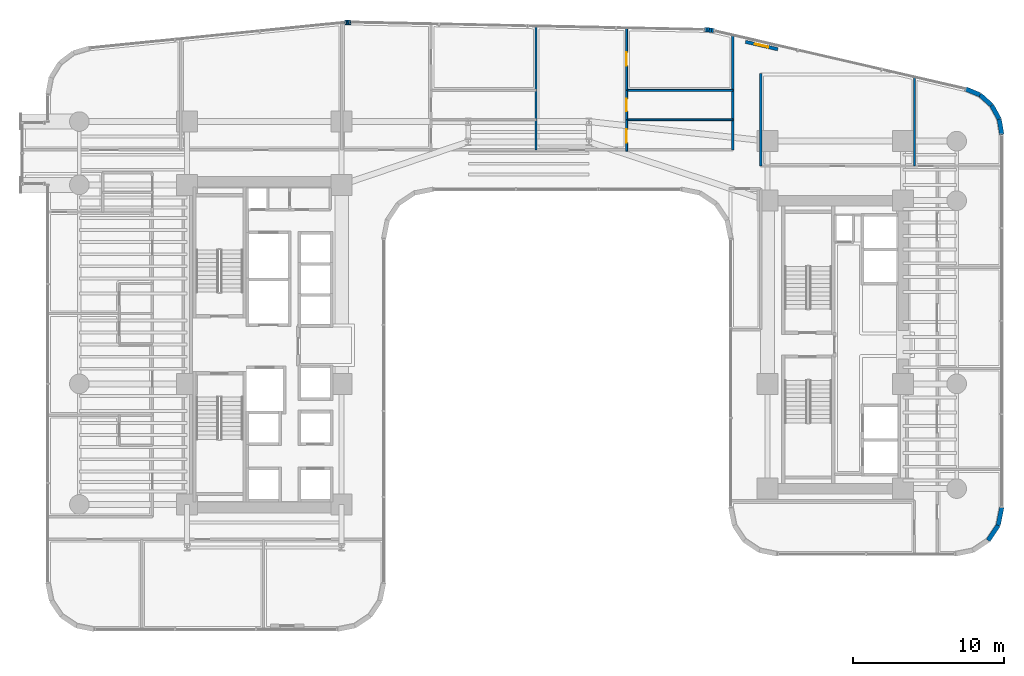
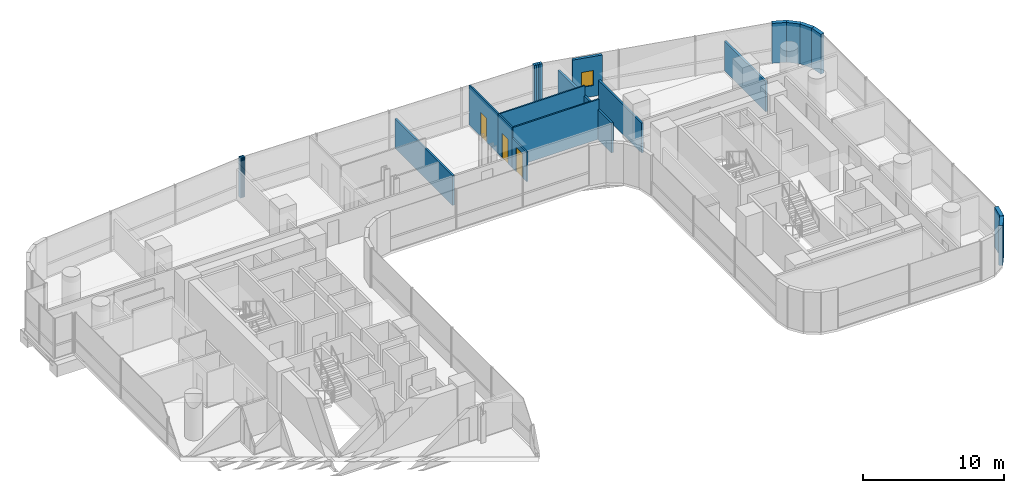
# One storey, part 35 of 41: 24 walls, 3 doors, 1 window, 4 openings.
"""IFC4 building model written with IfcOpenShell, lengths in metres."""

from ifc_helpers import new_model, si_unit, direction, frame, frame_2d, origin, place, context, subcontext, project, spatial, rectangle, extrude, material, layer, layer_set, type_object, element, fill, save


model = new_model("IFC4")

# Units and contexts
model_context = context("Model", 3, precision=1e-05, world=origin(), true_north=direction((0.0, 1.0)))
body_context = subcontext(model_context, "Body", "Model", "MODEL_VIEW")
ifc_project = project(units=[si_unit("LENGTHUNIT", "METRE"), si_unit("AREAUNIT", "SQUARE_METRE"), si_unit("VOLUMEUNIT", "CUBIC_METRE"), si_unit("PLANEANGLEUNIT", "RADIAN"), si_unit("MASSUNIT", "GRAM", prefix="KILO")], contexts=[model_context])

# Site, building, storey
site_placement = place(None, origin())
site = spatial("IfcSite", under=ifc_project, at=site_placement, CompositionType="ELEMENT")
building_placement = place(site_placement, origin())
building = spatial("IfcBuilding", under=site, at=building_placement, Name="Valdorenza Pilgrim Sanctuary Tower", CompositionType="ELEMENT")
storey_placement = place(building_placement, frame((0.0, 0.0, 88.89990234375)))
storey = spatial("IfcBuildingStorey", under=building, at=storey_placement, Name="L22", CompositionType="ELEMENT", Elevation=88.89990234375)

# Walls
ifc_material_1 = material(Name="Acoustic twin-stud gypsum partition", Category="gypsum")
ifc_layer_1 = layer(ifc_material_1, 0.159912109375, Name="Acoustic twin-stud gypsum partition")
ifc_layer_set_1 = layer_set([ifc_layer_1], Name="Acoustic twin-stud gypsum partition")
wall_type_1 = type_object("IfcWallType", Name="WAL-COR-160", PredefinedType="PARTITIONING", material=ifc_layer_set_1)
wall_1_placement = place(storey_placement, frame((13.550048828125, 12.919921875, 0.0), z_axis=(0.0, 0.0, 1.0), x_axis=(0.0, 1.0, 0.0)))
element("IfcWall", 1, at=wall_1_placement, inside=storey, type_object=wall_type_1, Name="L22 North Band East Closure", PredefinedType="PARTITIONING", context=body_context, shape_type="SweptSolid", body=[
    extrude(rectangle(XDim=7.609375, YDim=0.159912109375, at=frame_2d((3.8046875, 0.0))), origin(), (0.0, 0.0, 1.0), 2.5830078125),
])
wall_2_placement = place(storey_placement, frame((15.39990234375, 11.85009765625, 0.0), z_axis=(0.0, 0.0, 1.0), x_axis=(0.0, 1.0, 0.0)))
element("IfcWall", 2, at=wall_2_placement, inside=storey, type_object=wall_type_1, Name="L22 Wing B North West Wall", PredefinedType="PARTITIONING", context=body_context, shape_type="SweptSolid", body=[
    extrude(rectangle(XDim=6.14990234375, YDim=0.159912109375, at=frame_2d((3.074951171875, 0.0))), origin(), (0.0, 0.0, 1.0), 2.5830078125),
])
wall_3_placement = place(storey_placement, frame((25.60009765625, 11.85009765625, 0.0), z_axis=(0.0, 0.0, 1.0), x_axis=(0.0, 1.0, 0.0)))
element("IfcWall", 3, at=wall_3_placement, inside=storey, type_object=wall_type_1, Name="L22 Wing B North East Wall", PredefinedType="PARTITIONING", context=body_context, shape_type="SweptSolid", body=[
    extrude(rectangle(XDim=5.8984375, YDim=0.159912109375, at=frame_2d((2.94921875, 0.0))), origin(), (0.0, 0.0, 1.0), 2.5830078125),
])
ifc_material_2 = material(Name="Honed travertine limestone", Category="masonry")
ifc_layer_2 = layer(ifc_material_2, 0.300048828125, Name="Honed travertine limestone")
ifc_layer_set_2 = layer_set([ifc_layer_2], Name="Honed travertine limestone")
wall_type_2 = type_object("IfcWallType", Name="WAL-EXT-300", PredefinedType="SOLIDWALL", material=ifc_layer_set_2)
wall_4_placement = place(storey_placement, frame((-12.181884765625, 21.371337890625, 0.0), z_axis=(0.0, 0.0, 1.0), x_axis=(0.996527790842, 0.08326080759, 0.0)))
element("IfcWall", 4, at=wall_4_placement, inside=storey, type_object=wall_type_2, Name="L22 Rounded Wind-Corner Stone Pier 7", PredefinedType="SOLIDWALL", context=body_context, shape_type="SweptSolid", body=[
    extrude(rectangle(XDim=0.09375, YDim=0.300048828125, at=frame_2d((0.046875, 0.0))), origin(), (0.0, 0.0, 1.0), 3.460205078125),
])
wall_5_placement = place(storey_placement, frame((-12.08837890625, 21.379150390625, 0.0), z_axis=(0.0, 0.0, 1.0), x_axis=(0.998476480444, 0.055178963393, 0.0)))
element("IfcWall", 5, at=wall_5_placement, inside=storey, type_object=wall_type_2, Name="L22 Rounded Wind-Corner Stone Pier 8", PredefinedType="SOLIDWALL", context=body_context, shape_type="SweptSolid", body=[
    extrude(rectangle(XDim=0.093017578125, YDim=0.300048828125, at=frame_2d((0.04638671875, 0.0))), origin(), (0.0, 0.0, 1.0), 3.460205078125),
])
wall_6_placement = place(storey_placement, frame((-11.99560546875, 21.38427734375, 0.0), z_axis=(0.0, 0.0, 1.0), x_axis=(0.999722573757, 0.023553673204, 0.0)))
element("IfcWall", 6, at=wall_6_placement, inside=storey, type_object=wall_type_2, Name="L22 Rounded Wind-Corner Stone Pier 9", PredefinedType="SOLIDWALL", context=body_context, shape_type="SweptSolid", body=[
    extrude(rectangle(XDim=0.09326171875, YDim=0.300048828125, at=frame_2d((0.046630859375, 0.0))), origin(), (0.0, 0.0, 1.0), 3.460205078125),
])
wall_7_placement = place(storey_placement, frame((-11.90234375, 21.386474609375, 0.0), z_axis=(0.0, 0.0, 1.0), x_axis=(0.999986507273, -0.005194735103, 0.0)))
element("IfcWall", 7, at=wall_7_placement, inside=storey, type_object=wall_type_2, Name="L22 Rounded Wind-Corner Stone Pier 10", PredefinedType="SOLIDWALL", context=body_context, shape_type="SweptSolid", body=[
    extrude(rectangle(XDim=0.093994140625, YDim=0.300048828125, at=frame_2d((0.046875, 0.0))), origin(), (0.0, 0.0, 1.0), 3.460205078125),
])
wall_8_placement = place(storey_placement, frame((11.665771484375, 20.89697265625, 0.0), z_axis=(0.0, 0.0, 1.0), x_axis=(0.998885297239, -0.047203421059, 0.0)))
element("IfcWall", 8, at=wall_8_placement, inside=storey, type_object=wall_type_2, Name="L22 Rounded Wind-Corner Stone Pier 12", PredefinedType="SOLIDWALL", context=body_context, shape_type="SweptSolid", body=[
    extrude(rectangle(XDim=0.160400390625, YDim=0.300048828125, at=frame_2d((0.080078125, 0.0))), origin(), (0.0, 0.0, 1.0), 3.460205078125),
])
wall_9_placement = place(storey_placement, frame((11.825927734375, 20.889404296875, 0.0), z_axis=(0.0, 0.0, 1.0), x_axis=(0.995172891136, -0.098137234257, 0.0)))
element("IfcWall", 9, at=wall_9_placement, inside=storey, type_object=wall_type_2, Name="L22 Rounded Wind-Corner Stone Pier 13", PredefinedType="SOLIDWALL", context=body_context, shape_type="SweptSolid", body=[
    extrude(rectangle(XDim=0.1591796875, YDim=0.300048828125, at=frame_2d((0.07958984375, 0.0))), origin(), (0.0, 0.0, 1.0), 3.460205078125),
])
wall_10_placement = place(storey_placement, frame((11.984375, 20.873779296875, 0.0), z_axis=(0.0, 0.0, 1.0), x_axis=(0.988846069207, -0.148941100486, 0.0)))
element("IfcWall", 10, at=wall_10_placement, inside=storey, type_object=wall_type_2, Name="L22 Rounded Wind-Corner Stone Pier 14", PredefinedType="SOLIDWALL", context=body_context, shape_type="SweptSolid", body=[
    extrude(rectangle(XDim=0.158935546875, YDim=0.300048828125, at=frame_2d((0.07958984375, 0.0))), origin(), (0.0, 0.0, 1.0), 3.460205078125),
])
wall_11_placement = place(storey_placement, frame((12.1416015625, 20.85009765625, 0.0), z_axis=(0.0, 0.0, 1.0), x_axis=(0.979991950448, -0.19903712482, 0.0)))
element("IfcWall", 11, at=wall_11_placement, inside=storey, type_object=wall_type_2, Name="L22 Rounded Wind-Corner Stone Pier 15", PredefinedType="SOLIDWALL", context=body_context, shape_type="SweptSolid", body=[
    extrude(rectangle(XDim=0.16064453125, YDim=0.300048828125, at=frame_2d((0.080322265625, 0.0))), origin(), (0.0, 0.0, 1.0), 3.460205078125),
])

# Wall, opening, window
wall_12_placement = place(storey_placement, frame((14.388671875, 20.089599609375, 0.0), z_axis=(0.0, 0.0, 1.0), x_axis=(0.974400545997, -0.224818984875, 0.0)))
wall_12 = element("IfcWall", 12, at=wall_12_placement, inside=storey, type_object=wall_type_2, Name="L22 Operable Ventilation Sash Jamb Pier", PredefinedType="SOLIDWALL", context=body_context, shape_type="SweptSolid", body=[
    extrude(rectangle(XDim=2.2001953125, YDim=0.219970703125, at=frame_2d((1.10009765625, 0.0))), origin(), (0.0, 0.0, 1.0), 3.460205078125),
])
opening_1_placement = place(wall_12_placement, frame((0.64990234375, 0.0, 0.949951171875)))
opening_1 = element("IfcOpeningElement", 13, at=opening_1_placement, cuts=wall_12, Name="Opening WN-OP1", PredefinedType="OPENING", context=body_context, shape_type="SweptSolid", body=[
    extrude(rectangle(XDim=0.89990234375, YDim=1.300048828125, at=frame_2d((0.449951171875, 0.64990234375))), frame((0.0, 0.125, 0.0), z_axis=(0.0, -1.0, 0.0), x_axis=(1.0, 0.0, 0.0)), (0.0, 0.0, 1.0), 0.249755859375),
])
ifc_material_3 = material(Name="Ceramic-fritted low-E IGU glazing", Category="glass")
window_type = type_object("IfcWindowType", Name="WIN-OPN-900", PartitioningType="SINGLE_PANEL", PredefinedType="WINDOW", material=ifc_material_3)
window_placement = place(opening_1_placement, origin())
window = element("IfcWindow", 14, at=window_placement, inside=storey, type_object=window_type, Name="L22 Parallel-Pop-Out Operable Facade Panel", OverallHeight=1.300048828125, OverallWidth=0.89990234375, PartitioningType="SINGLE_PANEL", PredefinedType="WINDOW", context=body_context, shape_type="SweptSolid", body=[
    extrude(rectangle(XDim=0.89990234375, YDim=1.300048828125, at=frame_2d((0.449951171875, 0.64990234375))), frame((0.0, 0.030029296875, 0.0), z_axis=(0.0, -1.0, 0.0), x_axis=(1.0, 0.0, 0.0)), (0.0, 0.0, 1.0), 0.06005859375),
])
fill(opening_1, window)

# Walls
wall_13_placement = place(storey_placement, frame((28.98583984375, 16.96728515625, 0.0), z_axis=(0.0, 0.0, 1.0), x_axis=(0.923083852684, -0.384598753136, 0.0)))
element("IfcWall", 15, at=wall_13_placement, inside=storey, type_object=wall_type_2, Name="L22 Rounded Wind-Corner Stone Pier 17", PredefinedType="SOLIDWALL", context=body_context, shape_type="SweptSolid", body=[
    extrude(rectangle(XDim=1.042236328125, YDim=0.300048828125, at=frame_2d((0.52099609375, 0.0))), origin(), (0.0, 0.0, 1.0), 3.460205078125),
])
wall_14_placement = place(storey_placement, frame((29.947998046875, 16.56640625, 0.0), z_axis=(0.0, 0.0, 1.0), x_axis=(0.744585645533, -0.66752694063, 0.0)))
element("IfcWall", 16, at=wall_14_placement, inside=storey, type_object=wall_type_2, Name="L22 Rounded Wind-Corner Stone Pier 18", PredefinedType="SOLIDWALL", context=body_context, shape_type="SweptSolid", body=[
    extrude(rectangle(XDim=1.032958984375, YDim=0.300048828125, at=frame_2d((0.5166015625, 0.0))), origin(), (0.0, 0.0, 1.0), 3.460205078125),
])
wall_15_placement = place(storey_placement, frame((30.717041015625, 15.876953125, 0.0), z_axis=(0.0, 0.0, 1.0), x_axis=(0.482971098131, -0.875636293429, 0.0)))
element("IfcWall", 17, at=wall_15_placement, inside=storey, type_object=wall_type_2, Name="L22 Rounded Wind-Corner Stone Pier 19", PredefinedType="SOLIDWALL", context=body_context, shape_type="SweptSolid", body=[
    extrude(rectangle(XDim=1.03271484375, YDim=0.300048828125, at=frame_2d((0.516357421875, 0.0))), origin(), (0.0, 0.0, 1.0), 3.460205078125),
])
wall_16_placement = place(storey_placement, frame((31.2158203125, 14.97265625, 0.0), z_axis=(0.0, 0.0, 1.0), x_axis=(0.167019462117, -0.985953598946, 0.0)))
element("IfcWall", 18, at=wall_16_placement, inside=storey, type_object=wall_type_2, Name="L22 Rounded Wind-Corner Stone Pier 20", PredefinedType="SOLIDWALL", context=body_context, shape_type="SweptSolid", body=[
    extrude(rectangle(XDim=1.042236328125, YDim=0.300048828125, at=frame_2d((0.52099609375, 0.0))), origin(), (0.0, 0.0, 1.0), 3.460205078125),
])
wall_17_placement = place(storey_placement, frame((31.389892578125, -10.789306640625, 0.0), z_axis=(0.0, 0.0, 1.0), x_axis=(-0.194996050505, -0.980804027463, 0.0)))
element("IfcWall", 19, at=wall_17_placement, inside=storey, type_object=wall_type_2, Name="L22 Rounded Wind-Corner Stone Pier 22", PredefinedType="SOLIDWALL", context=body_context, shape_type="SweptSolid", body=[
    extrude(rectangle(XDim=1.2158203125, YDim=0.300048828125, at=frame_2d((0.60791015625, 0.0))), origin(), (0.0, 0.0, 1.0), 3.460205078125),
])
wall_18_placement = place(storey_placement, frame((31.15283203125, -11.981689453125, 0.0), z_axis=(0.0, 0.0, 1.0), x_axis=(-0.555635100982, -0.831426265255, 0.0)))
element("IfcWall", 20, at=wall_18_placement, inside=storey, type_object=wall_type_2, Name="L22 Rounded Wind-Corner Stone Pier 23", PredefinedType="SOLIDWALL", context=body_context, shape_type="SweptSolid", body=[
    extrude(rectangle(XDim=1.204833984375, YDim=0.300048828125, at=frame_2d((0.6025390625, 0.0))), origin(), (0.0, 0.0, 1.0), 3.460205078125),
])
ifc_material_4 = material(Name="Moisture-resistant gypsum partition", Category="gypsum")
ifc_layer_3 = layer(ifc_material_4, 0.1201171875, Name="Moisture-resistant gypsum partition")
ifc_layer_set_3 = layer_set([ifc_layer_3], Name="Moisture-resistant gypsum partition")
wall_type_3 = type_object("IfcWallType", Name="WAL-INT-120", PredefinedType="PARTITIONING", material=ifc_layer_set_3)
for number, where, z_axis, x_axis, name in (
    (21, (6.5029296875, 14.919921875, 0.0), (0.0, 0.0, 1.0), (1.0, 0.0, 0.0), "L22 North Sanctuary Apartment L22-N4 Bath-Kitchen Wall"),
    (22, (6.5029296875, 16.8701171875, 0.0), (0.0, 0.0, 1.0), (1.0, 0.0, 0.0), "L22 North Sanctuary Apartment L22-N4 Kitchen-Bedroom Wall"),
):
    element("IfcWall", number, at=place(storey_placement, frame(where, z_axis=z_axis, x_axis=x_axis)), inside=storey, type_object=wall_type_3, Name=name, PredefinedType="PARTITIONING", context=body_context, shape_type="SweptSolid", body=[
        extrude(rectangle(XDim=7.047119140625, YDim=0.1201171875, at=frame_2d((3.5234375, 0.0))), origin(), (0.0, 0.0, 1.0), 3.460205078125),
    ])

# Wall, opening, door
wall_19_placement = place(storey_placement, frame((6.5029296875, 14.919921875, 0.0), z_axis=(0.0, 0.0, 1.0), x_axis=(0.0, 1.0, 0.0)))
wall_19 = element("IfcWall", 23, at=wall_19_placement, inside=storey, type_object=wall_type_3, Name="L22 North Sanctuary Apartment L22-N4 Bathroom Door Wall", PredefinedType="PARTITIONING", context=body_context, shape_type="SweptSolid", body=[
    extrude(rectangle(XDim=1.9501953125, YDim=0.1201171875, at=frame_2d((0.97509765625, 0.0))), origin(), (0.0, 0.0, 1.0), 3.460205078125),
])
opening_2_placement = place(wall_19_placement, frame((0.550048828125, 0.0, 0.0)))
opening_2 = element("IfcOpeningElement", 24, at=opening_2_placement, cuts=wall_19, Name="Opening DR-WC1", PredefinedType="OPENING", context=body_context, shape_type="SweptSolid", body=[
    extrude(rectangle(XDim=0.85009765625, YDim=2.10009765625, at=frame_2d((0.425048828125, 1.050048828125))), frame((0.0, 0.074951171875, 0.0), z_axis=(0.0, -1.0, 0.0), x_axis=(1.0, 0.0, 0.0)), (0.0, 0.0, 1.0), 0.14990234375),
])
ifc_material_5 = material(Name="Moisture-resistant lacquered timber", Category="wood")
door_type_1 = type_object("IfcDoorType", Name="DR-BATH-850", OperationType="NOTDEFINED", PredefinedType="DOOR", material=ifc_material_5)
door_1_placement = place(opening_2_placement, origin())
door_1 = element("IfcDoor", 25, at=door_1_placement, inside=storey, type_object=door_type_1, Name="L22 North Sanctuary Apartment L22-N4 Bathroom Door", OperationType="SINGLE_SWING_LEFT", OverallHeight=2.10009765625, OverallWidth=0.85009765625, PredefinedType="DOOR", context=body_context, shape_type="SweptSolid", body=[
    extrude(rectangle(XDim=0.85009765625, YDim=2.10009765625, at=frame_2d((0.425048828125, 1.050048828125))), frame((0.0, 0.02490234375, 0.0), z_axis=(0.0, -1.0, 0.0), x_axis=(1.0, 0.0, 0.0)), (0.0, 0.0, 1.0), 0.050048828125),
])
fill(opening_2, door_1)

wall_20_placement = place(storey_placement, frame((6.5029296875, 12.840087890625, 0.0), z_axis=(0.0, 0.0, 1.0), x_axis=(0.0, 1.0, 0.0)))
wall_20 = element("IfcWall", 26, at=wall_20_placement, inside=storey, type_object=wall_type_3, Name="L22 North Sanctuary Apartment L22-N4 Kitchen Door Wall", PredefinedType="PARTITIONING", context=body_context, shape_type="SweptSolid", body=[
    extrude(rectangle(XDim=2.079833984375, YDim=0.1201171875, at=frame_2d((1.0400390625, 0.0))), origin(), (0.0, 0.0, 1.0), 2.5830078125),
])
opening_3_placement = place(wall_20_placement, frame((0.550048828125, 0.0, 0.0)))
opening_3 = element("IfcOpeningElement", 27, at=opening_3_placement, cuts=wall_20, Name="Opening DR-RM1", PredefinedType="OPENING", context=body_context, shape_type="SweptSolid", body=[
    extrude(rectangle(XDim=0.89990234375, YDim=2.10009765625, at=frame_2d((0.449951171875, 1.050048828125))), frame((0.0, 0.074951171875, 0.0), z_axis=(0.0, -1.0, 0.0), x_axis=(1.0, 0.0, 0.0)), (0.0, 0.0, 1.0), 0.14990234375),
])
ifc_material_6 = material(Name="Solid-core European oak timber", Category="wood")
door_type_2 = type_object("IfcDoorType", Name="DR-ROOM-900", OperationType="NOTDEFINED", PredefinedType="DOOR", material=ifc_material_6)
door_2_placement = place(opening_3_placement, origin())
door_2 = element("IfcDoor", 28, at=door_2_placement, inside=storey, type_object=door_type_2, Name="L22 North Sanctuary Apartment L22-N4 Kitchen Door", OperationType="SINGLE_SWING_RIGHT", OverallHeight=2.10009765625, OverallWidth=0.89990234375, PredefinedType="DOOR", context=body_context, shape_type="SweptSolid", body=[
    extrude(rectangle(XDim=0.89990234375, YDim=2.10009765625, at=frame_2d((0.449951171875, 1.050048828125))), frame((0.0, 0.02490234375, 0.0), z_axis=(0.0, -1.0, 0.0), x_axis=(1.0, 0.0, 0.0)), (0.0, 0.0, 1.0), 0.050048828125),
])
fill(opening_3, door_2)

wall_21_placement = place(storey_placement, frame((6.5029296875, 16.8701171875, 0.0), z_axis=(0.0, 0.0, 1.0), x_axis=(0.0, 1.0, 0.0)))
wall_21 = element("IfcWall", 29, at=wall_21_placement, inside=storey, type_object=wall_type_3, Name="L22 North Sanctuary Apartment L22-N4 Bedroom Door Wall", PredefinedType="PARTITIONING", context=body_context, shape_type="SweptSolid", body=[
    extrude(rectangle(XDim=4.13427734375, YDim=0.1201171875, at=frame_2d((2.067138671875, 0.0))), origin(), (0.0, 0.0, 1.0), 3.460205078125),
])
opening_4_placement = place(wall_21_placement, frame((1.616943359375, 0.0, 0.0)))
opening_4 = element("IfcOpeningElement", 30, at=opening_4_placement, cuts=wall_21, Name="Opening DR-RM1", PredefinedType="OPENING", context=body_context, shape_type="SweptSolid", body=[
    extrude(rectangle(XDim=0.89990234375, YDim=2.10009765625, at=frame_2d((0.449951171875, 1.050048828125))), frame((0.0, 0.074951171875, 0.0), z_axis=(0.0, -1.0, 0.0), x_axis=(1.0, 0.0, 0.0)), (0.0, 0.0, 1.0), 0.14990234375),
])
door_3_placement = place(opening_4_placement, frame((0.89990234375, 0.0, 0.0), z_axis=(0.0, 0.0, 1.0), x_axis=(-1.0, 0.0, 0.0)))
door_3 = element("IfcDoor", 31, at=door_3_placement, inside=storey, type_object=door_type_2, Name="L22 North Sanctuary Apartment L22-N4 Bedroom Door", OperationType="SINGLE_SWING_LEFT", OverallHeight=2.10009765625, OverallWidth=0.89990234375, PredefinedType="DOOR", context=body_context, shape_type="SweptSolid", body=[
    extrude(rectangle(XDim=0.89990234375, YDim=2.10009765625, at=frame_2d((0.449951171875, 1.050048828125))), frame((0.0, 0.02490234375, 0.0), z_axis=(0.0, -1.0, 0.0), x_axis=(1.0, 0.0, 0.0)), (0.0, 0.0, 1.0), 0.050048828125),
])
fill(opening_4, door_3)

# Wall
ifc_layer_4 = layer(ifc_material_1, 0.14990234375, Name="Acoustic twin-stud gypsum partition")
ifc_layer_set_4 = layer_set([ifc_layer_4], Name="Acoustic twin-stud gypsum partition")
wall_type_4 = type_object("IfcWallType", Name="WAL-UNT-150", PredefinedType="PARTITIONING", material=ifc_layer_set_4)
wall_22_placement = place(storey_placement, frame((0.5, 12.919921875, 0.0), z_axis=(0.0, 0.0, 1.0), x_axis=(0.0, 1.0, 0.0)))
element("IfcWall", 32, at=wall_22_placement, inside=storey, type_object=wall_type_4, Name="L22 North Apt Split", PredefinedType="PARTITIONING", context=body_context, shape_type="SweptSolid", body=[
    extrude(rectangle(XDim=8.209716796875, YDim=0.14990234375, at=frame_2d((4.10498046875, 0.0))), origin(), (0.0, 0.0, 1.0), 2.5830078125),
])

save(model, "model.ifc")
